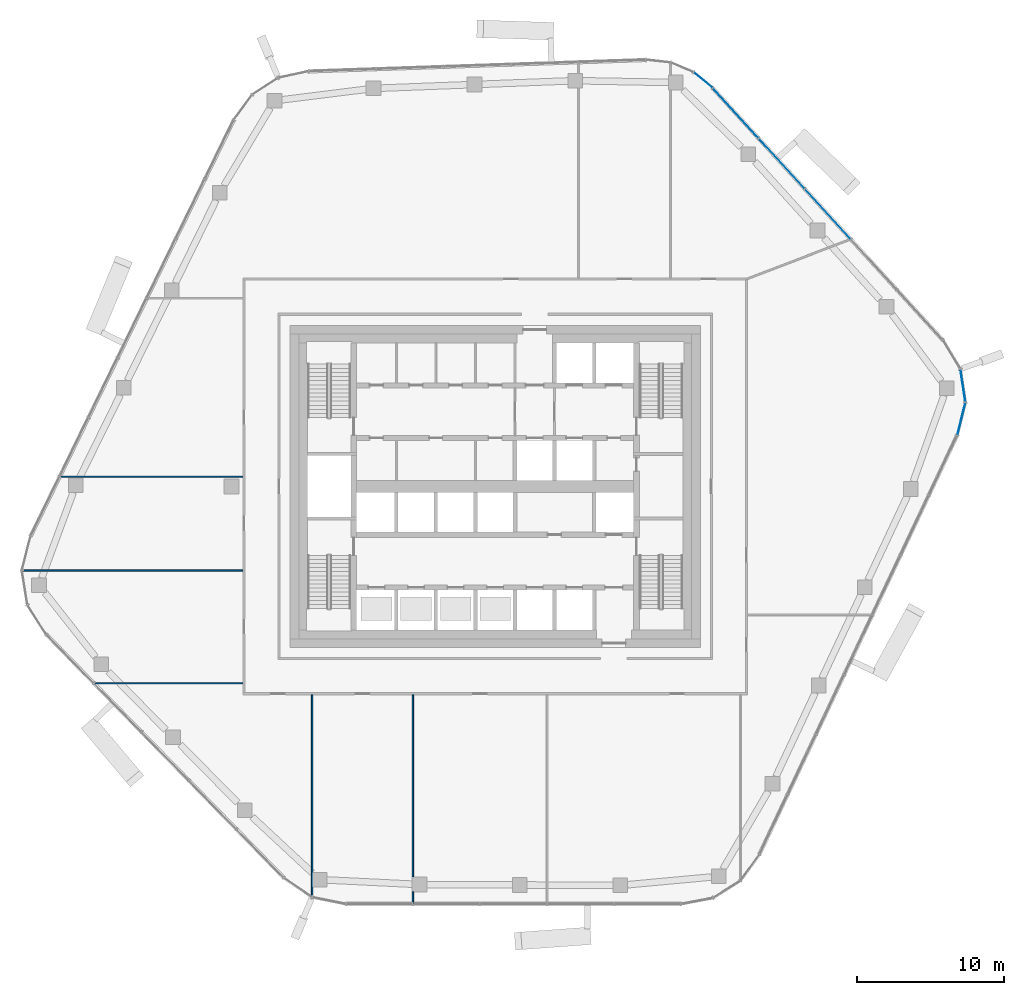
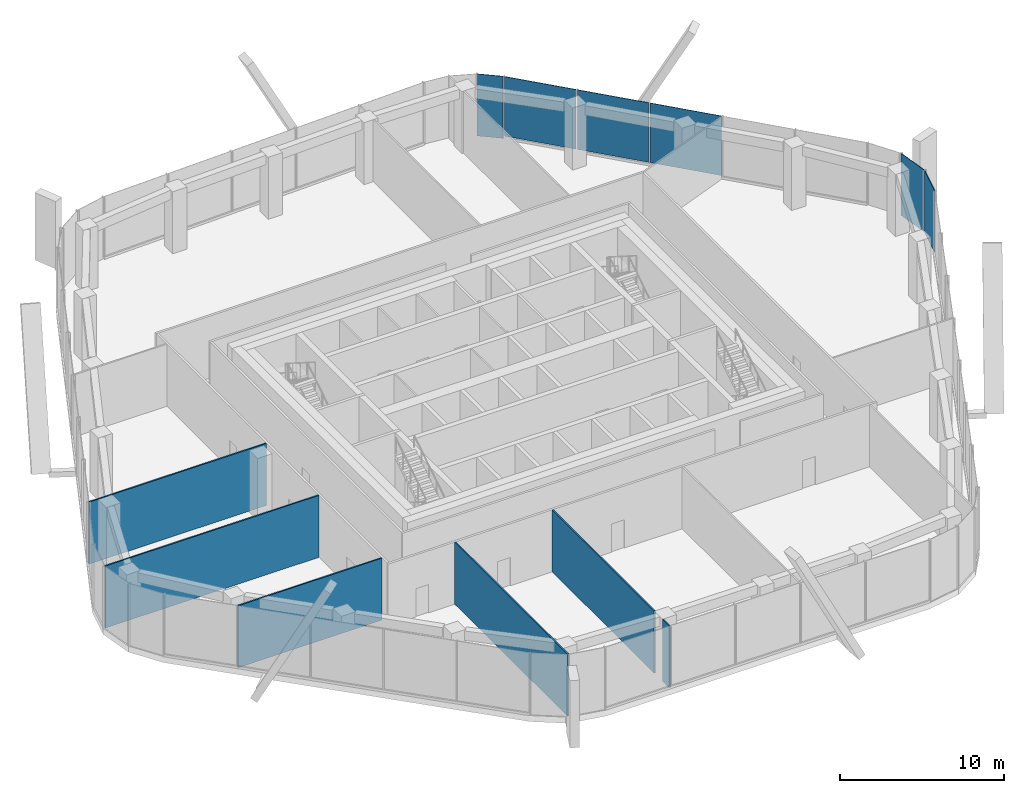
# One storey, part 9 of 20: 6 plates, 6 walls, 3 elements without a shape of their own.
"""IFC4 building model written with IfcOpenShell, lengths in metres."""

from ifc_helpers import new_model, si_unit, direction, frame, frame_2d, origin, origin_2d, place, context, subcontext, project, spatial, rectangle, extrude, material, layer, layer_set, type_object, element, aggregate, save


model = new_model("IFC4")

# Units and contexts
model_context = context("Model", 3, precision=1e-05, world=origin(), true_north=direction((0.0, 1.0)))
body_context = subcontext(model_context, "Body", "Model", "MODEL_VIEW")
ifc_project = project(units=[si_unit("LENGTHUNIT", "METRE"), si_unit("AREAUNIT", "SQUARE_METRE"), si_unit("VOLUMEUNIT", "CUBIC_METRE"), si_unit("PLANEANGLEUNIT", "RADIAN"), si_unit("MASSUNIT", "GRAM", prefix="KILO")], contexts=[model_context])

# Site, building, storey
site_placement = place(None, origin())
site = spatial("IfcSite", under=ifc_project, at=site_placement, CompositionType="ELEMENT")
building_placement = place(site_placement, origin())
building = spatial("IfcBuilding", under=site, at=building_placement, Name="Dongbaek Canopy Tower", CompositionType="ELEMENT")
storey_placement = place(building_placement, frame((0.0, 0.0, 289.199951171875)))
storey = spatial("IfcBuildingStorey", under=building, at=storey_placement, Name="L61", CompositionType="ELEMENT", Elevation=289.199951171875)

# Curtain wall, plates
ifc_material_1 = material(Name="Aluminium 6063-T6 pale anodised", Category="aluminium")
ifc_layer_1 = layer(ifc_material_1, 0.25)
ifc_layer_set_1 = layer_set([ifc_layer_1], Name="CW-4 sky-lobby curtain wall")
curtain_wall_type = type_object("IfcCurtainWallType", Name="CW-4 sky-lobby curtain wall", PredefinedType="NOTDEFINED", material=ifc_layer_set_1)
curtain_wall_1_placement = place(storey_placement, origin())
curtain_wall_1 = element("IfcCurtainWall", 1, at=curtain_wall_1_placement, inside=storey, type_object=curtain_wall_type, Name="CW-4 curtain wall K0.1", PredefinedType="NOTDEFINED")
ifc_material_2 = material(Name="Clear laminated glass", Category="glass")
ifc_layer_2 = layer(ifc_material_2, 0.035888671875)
ifc_layer_set_2 = layer_set([ifc_layer_2], Name="CW-4 glazed panel 36")
plate_type = type_object("IfcPlateType", Name="CW-4 glazed panel 36", PredefinedType="CURTAIN_PANEL", material=ifc_layer_set_2)
plate_1_placement = place(storey_placement, frame((31.812744140625, 4.6083984375, 0.0), z_axis=(0.0, 0.0, 1.0), x_axis=(0.241656435998, 0.970361874221, 0.0)))
plate_1 = element("IfcPlate", 2, at=plate_1_placement, type_object=plate_type, Name="CW-4 panel K0.1.1.1", PredefinedType="CURTAIN_PANEL", context=body_context, shape_type="SweptSolid", body=[
    extrude(rectangle(XDim=2.222900390625, YDim=0.035888671875, at=origin_2d()), origin(), (0.0, 0.0, 1.0), 4.6201171875),
])
plate_2_placement = place(storey_placement, frame((31.920654296875, 6.873046875, 0.0), z_axis=(0.0, 0.0, 1.0), x_axis=(-0.149010137128, 0.988835668366, 0.0)))
plate_2 = element("IfcPlate", 3, at=plate_2_placement, type_object=plate_type, Name="CW-4 panel K0.1.2.1", PredefinedType="CURTAIN_PANEL", context=body_context, shape_type="SweptSolid", body=[
    extrude(rectangle(XDim=2.212646484375, YDim=0.035888671875, at=origin_2d()), origin(), (0.0, 0.0, 1.0), 4.6201171875),
])
aggregate(curtain_wall_1, [plate_1, plate_2])

curtain_wall_2_placement = place(storey_placement, origin())
curtain_wall_2 = element("IfcCurtainWall", 4, at=curtain_wall_2_placement, inside=storey, type_object=curtain_wall_type, Name="CW-4 curtain wall F0.1", PredefinedType="NOTDEFINED")
plate_3_placement = place(storey_placement, frame((22.70068359375, 18.59423828125, 0.18017578125), z_axis=(0.0, 0.0, 1.0), x_axis=(-0.674307608715, 0.738450573044, 0.0)))
plate_3 = element("IfcPlate", 5, at=plate_3_placement, type_object=plate_type, Name="CW-4 panel F0.1.3.1", PredefinedType="CURTAIN_PANEL", context=body_context, shape_type="SweptSolid", body=[
    extrude(rectangle(XDim=4.56689453125, YDim=0.035888671875, at=origin_2d()), origin(), (0.0, 0.0, 1.0), 4.43994140625),
])
plate_4_placement = place(storey_placement, frame((19.5576171875, 22.0361328125, 0.18017578125), z_axis=(0.0, 0.0, 1.0), x_axis=(-0.674307608715, 0.738450573044, 0.0)))
plate_4 = element("IfcPlate", 6, at=plate_4_placement, type_object=plate_type, Name="CW-4 panel F0.1.4.1", PredefinedType="CURTAIN_PANEL", context=body_context, shape_type="SweptSolid", body=[
    extrude(rectangle(XDim=4.56689453125, YDim=0.035888671875, at=origin_2d()), origin(), (0.0, 0.0, 1.0), 4.43994140625),
])
plate_5_placement = place(storey_placement, frame((16.417236328125, 25.475341796875, 0.18017578125), z_axis=(0.0, 0.0, 1.0), x_axis=(-0.674307608715, 0.738450573044, 0.0)))
plate_5 = element("IfcPlate", 7, at=plate_5_placement, type_object=plate_type, Name="CW-4 panel F0.1.5.1", PredefinedType="CURTAIN_PANEL", context=body_context, shape_type="SweptSolid", body=[
    extrude(rectangle(XDim=4.559814453125, YDim=0.035888671875, at=origin_2d()), origin(), (0.0, 0.0, 1.0), 4.43994140625),
])
aggregate(curtain_wall_2, [plate_3, plate_4, plate_5])

# Curtain wall, plate
curtain_wall_3_placement = place(storey_placement, origin())
curtain_wall_3 = element("IfcCurtainWall", 8, at=curtain_wall_3_placement, inside=storey, type_object=curtain_wall_type, Name="CW-4 curtain wall K1.1", PredefinedType="NOTDEFINED")
plate_6_placement = place(storey_placement, frame((14.190185546875, 27.733154296875, 0.0), z_axis=(0.0, 0.0, 1.0), x_axis=(-0.773372056457, 0.633952413271, 0.0)))
plate_6 = element("IfcPlate", 9, at=plate_6_placement, type_object=plate_type, Name="CW-4 panel K1.1.1.1", PredefinedType="CURTAIN_PANEL", context=body_context, shape_type="SweptSolid", body=[
    extrude(rectangle(XDim=1.607666015625, YDim=0.035888671875, at=origin_2d()), origin(), (0.0, 0.0, 1.0), 4.6201171875),
])
aggregate(curtain_wall_3, [plate_6])

# Walls
ifc_material_3 = material(Name="Gypsum board partition, steel stud, 2 x 12.5 mm board", Category="steel")
ifc_layer_3 = layer(ifc_material_3, 0.10009765625)
ifc_layer_set_3 = layer_set([ifc_layer_3], Name="Partition 100 gypsum board")
wall_type = type_object("IfcWallType", Name="Partition 100 gypsum board", PredefinedType="PARTITIONING", material=ifc_layer_set_3)
wall_1_placement = place(storey_placement, frame((-27.364013671875, -13.429931640625, 0.0), z_axis=(0.0, 0.0, 1.0), x_axis=(1.0, 0.0, 0.0)))
element("IfcWall", 10, at=wall_1_placement, inside=storey, type_object=wall_type, Name="Partition", PredefinedType="PARTITIONING", context=body_context, shape_type="SweptSolid", body=[
    extrude(rectangle(XDim=10.138916015625, YDim=0.10009765625, at=frame_2d((5.0693359375, 0.0))), origin(), (0.0, 0.0, 1.0), 4.6201171875),
])
wall_2_placement = place(storey_placement, frame((-32.283203125, -5.722900390625, 0.0), z_axis=(0.0, 0.0, 1.0), x_axis=(1.0, 0.0, 0.0)))
element("IfcWall", 11, at=wall_2_placement, inside=storey, type_object=wall_type, Name="Partition", PredefinedType="PARTITIONING", context=body_context, shape_type="SweptSolid", body=[
    extrude(rectangle(XDim=15.05810546875, YDim=0.10009765625, at=frame_2d((7.529052734375, 0.0))), origin(), (0.0, 0.0, 1.0), 4.6201171875),
])
wall_3_placement = place(storey_placement, frame((-29.709716796875, 0.660888671875, 0.0), z_axis=(0.0, 0.0, 1.0), x_axis=(1.0, 0.0, 0.0)))
element("IfcWall", 12, at=wall_3_placement, inside=storey, type_object=wall_type, Name="Partition", PredefinedType="PARTITIONING", context=body_context, shape_type="SweptSolid", body=[
    extrude(rectangle(XDim=12.484619140625, YDim=0.10009765625, at=frame_2d((6.2421875, 0.0))), origin(), (0.0, 0.0, 1.0), 4.6201171875),
])
wall_4_placement = place(storey_placement, frame((-5.62109375, -28.472412109375, 0.0), z_axis=(0.0, 0.0, 1.0), x_axis=(0.0, 1.0, 0.0)))
element("IfcWall", 13, at=wall_4_placement, inside=storey, type_object=wall_type, Name="Partition", PredefinedType="PARTITIONING", context=body_context, shape_type="SweptSolid", body=[
    extrude(rectangle(XDim=0.805419921875, YDim=0.10009765625, at=frame_2d((0.40283203125, 0.0))), origin(), (0.0, 0.0, 1.0), 4.6201171875),
])
wall_5_placement = place(storey_placement, frame((-5.62109375, -26.6669921875, 0.0), z_axis=(0.0, 0.0, 1.0), x_axis=(0.0, 1.0, 0.0)))
element("IfcWall", 14, at=wall_5_placement, inside=storey, type_object=wall_type, Name="Partition", PredefinedType="PARTITIONING", context=body_context, shape_type="SweptSolid", body=[
    extrude(rectangle(XDim=12.44189453125, YDim=0.10009765625, at=frame_2d((6.220947265625, 0.0))), origin(), (0.0, 0.0, 1.0), 4.6201171875),
])
wall_6_placement = place(storey_placement, frame((-12.491943359375, -28.003662109375, 0.0), z_axis=(0.0, 0.0, 1.0), x_axis=(0.0, 1.0, 0.0)))
element("IfcWall", 15, at=wall_6_placement, inside=storey, type_object=wall_type, Name="Partition", PredefinedType="PARTITIONING", context=body_context, shape_type="SweptSolid", body=[
    extrude(rectangle(XDim=13.778564453125, YDim=0.10009765625, at=frame_2d((6.88916015625, 0.0))), origin(), (0.0, 0.0, 1.0), 4.6201171875),
])

save(model, "model.ifc")
